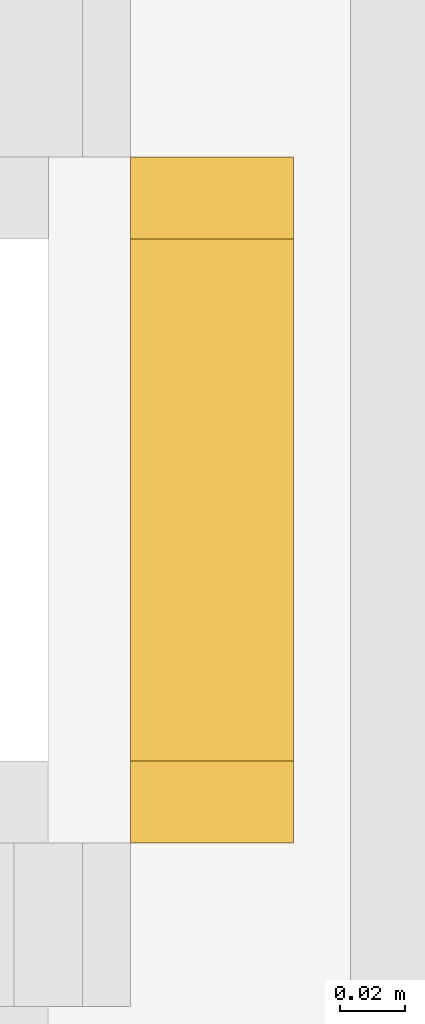
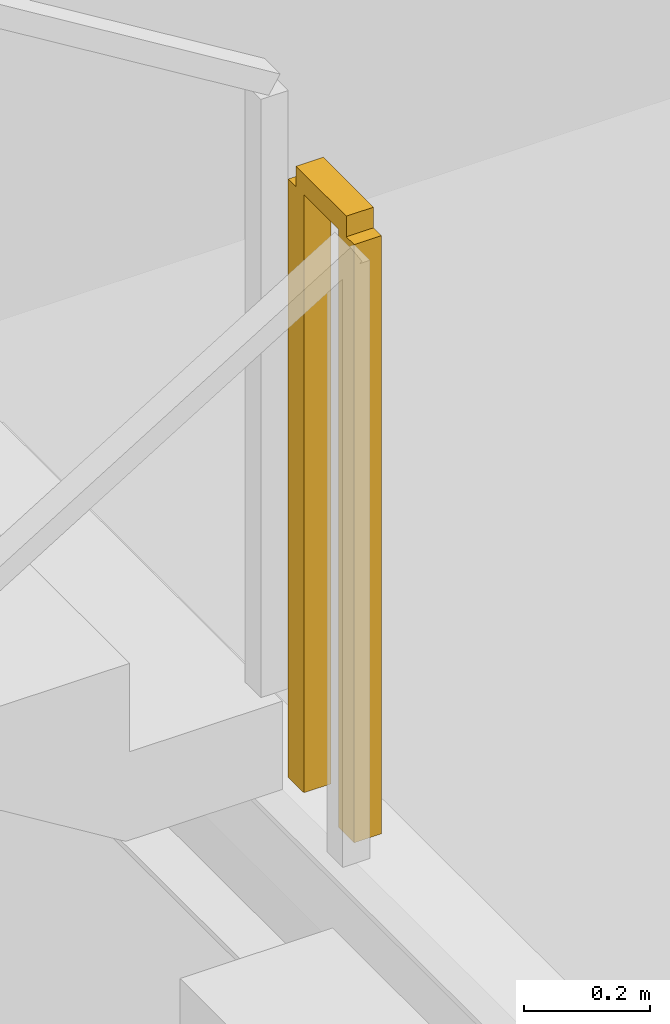
# One storey, part 40 of 45: 1 railing.
"""IFC4 building model written with IfcOpenShell, lengths in metres."""

from ifc_helpers import new_model, si_unit, direction, frame, origin, origin_2d, place, context, subcontext, project, spatial, rectangle, extrude, material, type_object, element, save


model = new_model("IFC4")

# Units and contexts
model_context = context("Model", 3, precision=1e-05, world=origin(), true_north=direction((0.0, 1.0)))
body_context = subcontext(model_context, "Body", "Model", "MODEL_VIEW")
ifc_project = project(units=[si_unit("LENGTHUNIT", "METRE"), si_unit("AREAUNIT", "SQUARE_METRE"), si_unit("VOLUMEUNIT", "CUBIC_METRE"), si_unit("PLANEANGLEUNIT", "RADIAN"), si_unit("MASSUNIT", "GRAM", prefix="KILO")], contexts=[model_context])

# Site, building, storey
site_placement = place(None, origin())
site = spatial("IfcSite", under=ifc_project, at=site_placement, CompositionType="ELEMENT")
building_placement = place(site_placement, origin())
building = spatial("IfcBuilding", under=site, at=building_placement, Name="Qianvela Tower", CompositionType="ELEMENT")
storey_placement = place(building_placement, frame((0.0, 0.0, 11.0)))
storey = spatial("IfcBuildingStorey", under=building, at=storey_placement, Name="L02", CompositionType="ELEMENT", Elevation=11.0)

# Railing
ifc_material = material(Name="Painted Tubular Steel Q355B", Category="steel")
railing_type = type_object("IfcRailingType", Name="RL-STAIR-GUARD-1200", PredefinedType="GUARDRAIL", material=ifc_material)
railing_placement = place(storey_placement, frame((35.110107421875, 26.35009765625, 2.39990234375)))
element("IfcRailing", 1, at=railing_placement, inside=storey, type_object=railing_type, Name="L02 ST-2 stair guard 2", PredefinedType="GUARDRAIL", context=body_context, shape_type="SweptSolid", body=[
    extrude(rectangle(XDim=0.050048828125, YDim=0.0400390625, at=origin_2d()), frame((0.0, 0.0, 1.179931640625), z_axis=(0.0, 1.0, 0.0), x_axis=(-1.0, 0.0, 0.0)), (0.0, 0.0, 1.0), 0.159912109375),
    extrude(rectangle(XDim=0.050048828125, YDim=0.050048828125, at=origin_2d()), origin(), (0.0, 0.0, 1.0), 1.159912109375),
    extrude(rectangle(XDim=0.050048828125, YDim=0.050048828125, at=origin_2d()), frame((0.0, 0.159912109375, 0.0)), (0.0, 0.0, 1.0), 1.159912109375),
])

save(model, "model.ifc")
